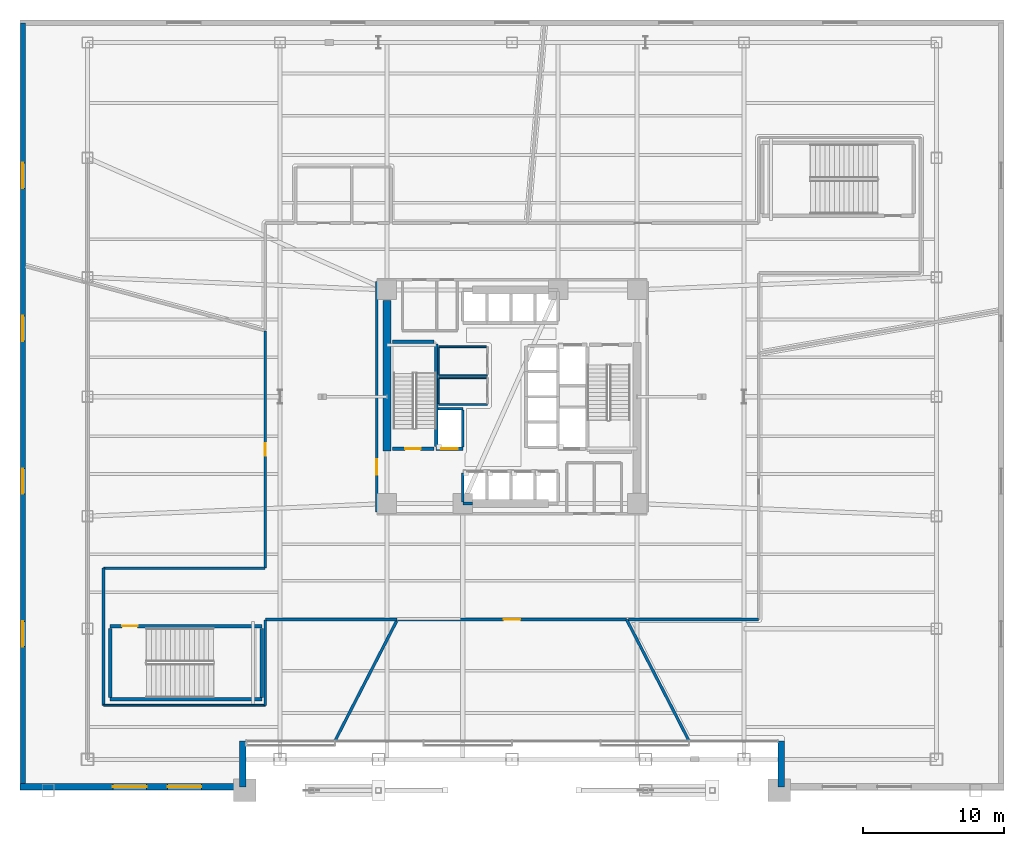
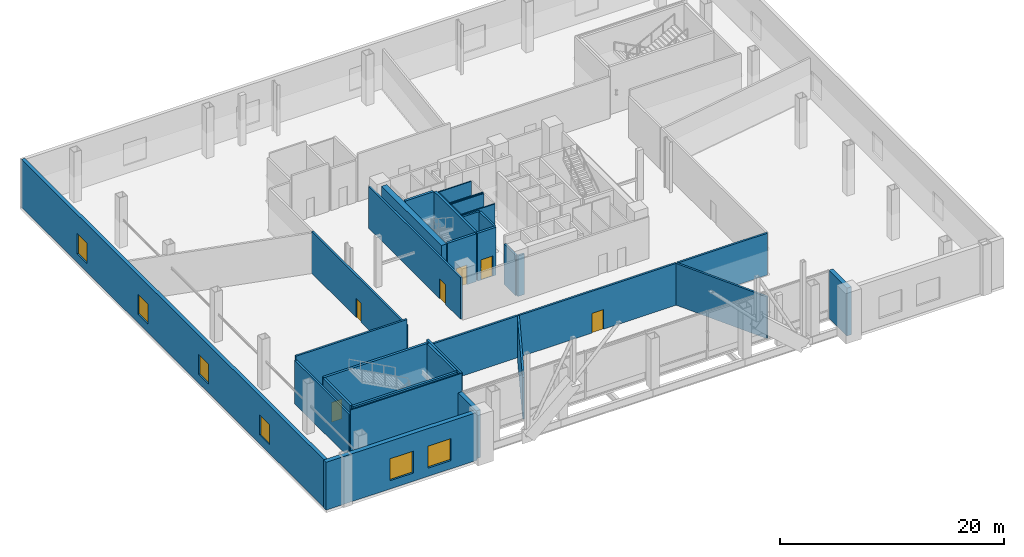
# One storey, part 8 of 16: 34 walls, 6 doors, 6 windows, 12 openings.
"""IFC4 building model written with IfcOpenShell, lengths in metres."""

import ifcopenshell
import ifcopenshell.guid

model = None  # the IFC model being written
_history = None  # IfcOwnerHistory: only IFC2X3 demands one
_inside = {}  # id of a spatial element -> (the spatial element, [elements in it])
_under = {}  # id of a project, library or spatial element -> (it, [spatial elements below it])
_declared = {}  # id of a project -> (the project, [libraries it declares])
_typed = {}  # id of a type object -> (the type object, [elements of that type])
_made_of = {}  # id of a material, layer set ... -> (it, [elements and type objects made of it])


def new_model(schema):
    """Start an empty IFC model of exactly this schema.

    Asked for "IFC4X3", IfcOpenShell would pick the latest addendum, in which some entities
    have other attributes; the version numbers below select the first issue.
    IFC2X3 requires an IfcOwnerHistory on every rooted entity: one is made here for all.
    """
    global model, _history
    if schema == "IFC4X3":
        model = ifcopenshell.file(schema_version=(4, 3, 0, 0))
    else:
        model = ifcopenshell.file(schema=schema)
    _inside.clear()
    _under.clear()
    _declared.clear()
    _typed.clear()
    _made_of.clear()
    _history = None
    if model.schema == "IFC2X3":
        org = make("IfcOrganization", Name="unknown")
        user = make(
            "IfcPersonAndOrganization",
            ThePerson=make("IfcPerson", FamilyName="unknown"),
            TheOrganization=org,
        )
        app = make(
            "IfcApplication",
            ApplicationDeveloper=org,
            Version="unknown",
            ApplicationFullName="unknown",
            ApplicationIdentifier="unknown",
        )
        _history = make(
            "IfcOwnerHistory",
            OwningUser=user,
            OwningApplication=app,
            ChangeAction="ADDED",
            CreationDate=0,
        )
    return model


def make(cls, **values):
    """One entity of the class cls with the attributes given. An attribute that is None is left unset."""
    return model.create_entity(
        cls, **{name: value for name, value in values.items() if value is not None}
    )


def rooted(cls, **values):
    """An entity with a GlobalId (a new one), such as an element, a storey or a relation."""
    return make(cls, GlobalId=ifcopenshell.guid.new(), OwnerHistory=_history, **values)


def si_unit(unit_type, name, prefix=None):
    """IfcSIUnit, for example si_unit("LENGTHUNIT", "METRE", prefix="MILLI")."""
    return make("IfcSIUnit", UnitType=unit_type, Prefix=prefix, Name=name)


def assignment(units):
    """IfcUnitAssignment: the units of a project."""
    return None if units is None else make("IfcUnitAssignment", Units=units)


def point(xyz):
    """IfcCartesianPoint."""
    return None if xyz is None else make("IfcCartesianPoint", Coordinates=xyz)


def direction(xyz):
    """IfcDirection."""
    return None if xyz is None else make("IfcDirection", DirectionRatios=xyz)


def frame(location, z_axis=None, x_axis=None):
    """IfcAxis2Placement3D, a coordinate frame: its origin and axes. An axis left out is left unset."""
    return make(
        "IfcAxis2Placement3D",
        Location=point(location),
        Axis=direction(z_axis),
        RefDirection=direction(x_axis),
    )


def frame_2d(location, x_axis=None):
    """IfcAxis2Placement2D, a coordinate frame in the plane: its origin and x axis."""
    return make(
        "IfcAxis2Placement2D", Location=point(location), RefDirection=direction(x_axis)
    )


def origin():
    """The frame at (0, 0, 0) with its axes left unset."""
    return frame((0.0, 0.0, 0.0))


def place(relative_to, where):
    """IfcLocalPlacement: puts the frame where relative to a parent placement (None: the world)."""
    return make(
        "IfcLocalPlacement", PlacementRelTo=relative_to, RelativePlacement=where
    )


def context(
    kind, dimensions, precision=None, world=None, true_north=None, identifier=None
):
    """IfcGeometricRepresentationContext, for example the 3D "Model" context."""
    return make(
        "IfcGeometricRepresentationContext",
        ContextIdentifier=identifier,
        ContextType=kind,
        CoordinateSpaceDimension=dimensions,
        Precision=precision,
        WorldCoordinateSystem=world,
        TrueNorth=true_north,
    )


def subcontext(parent, identifier, kind, view, scale=None):
    """IfcGeometricRepresentationSubContext, for example "Body" below "Model"."""
    return make(
        "IfcGeometricRepresentationSubContext",
        ContextIdentifier=identifier,
        ContextType=kind,
        ParentContext=parent,
        TargetScale=scale,
        TargetView=view,
    )


def project(units=None, contexts=None):
    """IfcProject with its units and contexts."""
    return rooted(
        "IfcProject",
        Name="project",
        RepresentationContexts=contexts,
        UnitsInContext=assignment(units),
    )


def spatial(cls, under=None, at=None, **own):
    """A site, building, storey or space (cls), placed at a placement, below another one or the project."""
    s = rooted(cls, ObjectPlacement=at, **own)
    if under is not None:
        _under.setdefault(under.id(), (under, []))[1].append(s)
    return s


def profile(cls, at=None, kind="AREA", **sizes):
    """A parametric profile (cls). Its sizes go by their IFC names, for example OverallWidth=200.0."""
    return make(cls, ProfileType=kind, Position=at, **sizes)


def rectangle(**sizes):
    """IfcRectangleProfileDef."""
    return profile("IfcRectangleProfileDef", **sizes)


def extrude(swept, where, along, depth):
    """IfcExtrudedAreaSolid: the profile swept, set in the frame where, extruded along a direction by depth."""
    return make(
        "IfcExtrudedAreaSolid",
        SweptArea=swept,
        Position=where,
        ExtrudedDirection=direction(along),
        Depth=depth,
    )


def shape(context_of_items, identifier, shape_type, items):
    """IfcShapeRepresentation: the items that make up one representation, for example the "Body"."""
    return make(
        "IfcShapeRepresentation",
        ContextOfItems=context_of_items,
        RepresentationIdentifier=identifier,
        RepresentationType=shape_type,
        Items=items,
    )


def material(Name=None, Category=None):
    """IfcMaterial."""
    return make("IfcMaterial", Name=Name, Category=Category)


def layer(
    of_material, thickness, ventilated=None, Name=None, Category=None, Priority=None
):
    """IfcMaterialLayer: one layer of a wall or slab, of a material (None: an air gap)."""
    return make(
        "IfcMaterialLayer",
        Material=of_material,
        LayerThickness=thickness,
        IsVentilated=ventilated,
        Name=Name,
        Category=Category,
        Priority=Priority,
    )


def layer_set(layers, Name=None):
    """IfcMaterialLayerSet."""
    return make("IfcMaterialLayerSet", MaterialLayers=layers, LayerSetName=Name)


def made_of(thing, what):
    """Note that an element or type object is made of a material, layer set ...; save() writes the relation."""
    if what is not None:
        _made_of.setdefault(what.id(), (what, []))[1].append(thing)
    return thing


def type_object(cls, material=None, **own):
    """A type object (cls), such as IfcWallType, which elements share."""
    return made_of(rooted(cls, **own), material)


def element(
    cls,
    number,
    at=None,
    inside=None,
    cuts=None,
    type_object=None,
    material=None,
    context=None,
    identifier="Body",
    shape_type=None,
    held_by="IfcProductDefinitionShape",
    body=None,
    shapes=None,
    **own,
):
    """One element of the class cls, such as IfcWall. Its Tag is "e" and its number.

    at: its placement. inside: the storey or other place that contains it. cuts: it is an
    opening in that element (IfcRelVoidsElement). A single representation is given by context,
    identifier, shape_type and body (its items); several are given by shapes. held_by: the class
    of the entity that holds the representations. save() writes the other relations.
    """
    e = rooted(cls, Tag="e%d" % number, ObjectPlacement=at, **own)
    if body is not None:
        shapes = [shape(context, identifier, shape_type, body)]
    if shapes is not None:
        e.Representation = make(held_by, Representations=shapes)
    if inside is not None:
        _inside.setdefault(inside.id(), (inside, []))[1].append(e)
    if cuts is not None:
        rooted(
            "IfcRelVoidsElement", RelatingBuildingElement=cuts, RelatedOpeningElement=e
        )
    if type_object is not None:
        _typed.setdefault(type_object.id(), (type_object, []))[1].append(e)
    return made_of(e, material)


def fill(opening, filler):
    """IfcRelFillsElement: the door or window that sits in an opening."""
    return rooted(
        "IfcRelFillsElement",
        RelatingOpeningElement=opening,
        RelatedBuildingElement=filler,
    )


def aggregate(whole, parts):
    """IfcRelAggregates: a whole, such as a stair, and the parts it consists of."""
    return rooted("IfcRelAggregates", RelatingObject=whole, RelatedObjects=parts)


def save(model, path):
    """Write the relations noted so far, then the file.

    IfcRelAggregates (storeys below a building ...), IfcRelContainedInSpatialStructure (elements
    in a storey), IfcRelDefinesByType, IfcRelAssociatesMaterial and IfcRelDeclares: one each for
    every whole, place, type object, material and project.
    """
    for whole, parts in _under.values():
        aggregate(whole, parts)
    for where, things in _inside.values():
        rooted(
            "IfcRelContainedInSpatialStructure",
            RelatedElements=things,
            RelatingStructure=where,
        )
    for kind, things in _typed.values():
        rooted("IfcRelDefinesByType", RelatedObjects=things, RelatingType=kind)
    for what, things in _made_of.values():
        rooted("IfcRelAssociatesMaterial", RelatedObjects=things, RelatingMaterial=what)
    for by, libraries in _declared.values():
        rooted("IfcRelDeclares", RelatingContext=by, RelatedDefinitions=libraries)
    model.write(path)


model = new_model("IFC4")

# Units and contexts
model_context = context("Model", 3, precision=1e-05, world=origin(), true_north=direction((0.0, 1.0)))
body_context = subcontext(model_context, "Body", "Model", "MODEL_VIEW")
ifc_project = project(units=[si_unit("LENGTHUNIT", "METRE"), si_unit("AREAUNIT", "SQUARE_METRE"), si_unit("VOLUMEUNIT", "CUBIC_METRE"), si_unit("PLANEANGLEUNIT", "RADIAN"), si_unit("MASSUNIT", "GRAM", prefix="KILO")], contexts=[model_context])

# Site, building, storey
site_placement = place(None, origin())
site = spatial("IfcSite", under=ifc_project, at=site_placement, CompositionType="ELEMENT")
building_placement = place(site_placement, origin())
building = spatial("IfcBuilding", under=site, at=building_placement, Name="Tharavind Bronze Gate", CompositionType="ELEMENT")
storey_placement = place(building_placement, frame((0.0, 0.0, 5.5)))
storey = spatial("IfcBuildingStorey", under=building, at=storey_placement, Name="L01", CompositionType="ELEMENT", Elevation=5.5)

# Wall, openings, windows
ifc_material_1 = material(Name="Concrete C40/50", Category="concrete")
ifc_layer_1 = layer(ifc_material_1, 0.35009765625)
ifc_layer_set_1 = layer_set([ifc_layer_1], Name="Concrete C40/50")
wall_type_1 = type_object("IfcWallType", Name="EXTERIOR SPANDREL WALL 350", PredefinedType="STANDARD", material=ifc_layer_set_1)
wall_1_placement = place(storey_placement, frame((-34.800048828125, 26.60009765625, 0.0), z_axis=(0.0, 0.0, 1.0), x_axis=(0.0, -1.0, 0.0)))
wall_1 = element("IfcWall", 1, at=wall_1_placement, inside=storey, type_object=wall_type_1, Name="L01 podium west facade wall", PredefinedType="STANDARD", context=body_context, shape_type="SweptSolid", body=[
    extrude(rectangle(XDim=54.35009765625, YDim=0.35009765625, at=frame_2d((27.175048828125, 0.0))), origin(), (0.0, 0.0, 1.0), 5.219970703125),
])
opening_1_placement = place(wall_1_placement, frame((9.969970703125, 0.0, 0.949951171875)))
opening_1 = element("IfcOpeningElement", 2, at=opening_1_placement, cuts=wall_1, Name="Opening W02", PredefinedType="OPENING", context=body_context, shape_type="SweptSolid", body=[
    extrude(rectangle(XDim=1.800048828125, YDim=2.199951171875, at=frame_2d((0.89990234375, 1.10009765625))), frame((0.0, 0.185048828125, 0.0), z_axis=(0.0, -1.0, 0.0), x_axis=(1.0, 0.0, 0.0)), (0.0, 0.0, 1.0), 0.37009765625),
])
opening_2_placement = place(wall_1_placement, frame((20.840087890625, 0.0, 0.949951171875)))
opening_2 = element("IfcOpeningElement", 3, at=opening_2_placement, cuts=wall_1, Name="Opening W02", PredefinedType="OPENING", context=body_context, shape_type="SweptSolid", body=[
    extrude(rectangle(XDim=1.800048828125, YDim=2.199951171875, at=frame_2d((0.89990234375, 1.10009765625))), frame((0.0, 0.185048828125, 0.0), z_axis=(0.0, -1.0, 0.0), x_axis=(1.0, 0.0, 0.0)), (0.0, 0.0, 1.0), 0.37009765625),
])
opening_3_placement = place(wall_1_placement, frame((31.7099609375, 0.0, 0.949951171875)))
opening_3 = element("IfcOpeningElement", 4, at=opening_3_placement, cuts=wall_1, Name="Opening W02", PredefinedType="OPENING", context=body_context, shape_type="SweptSolid", body=[
    extrude(rectangle(XDim=1.800048828125, YDim=2.199951171875, at=frame_2d((0.89990234375, 1.10009765625))), frame((0.0, 0.185048828125, 0.0), z_axis=(0.0, -1.0, 0.0), x_axis=(1.0, 0.0, 0.0)), (0.0, 0.0, 1.0), 0.37009765625),
])
opening_4_placement = place(wall_1_placement, frame((42.580078125, 0.0, 0.949951171875)))
opening_4 = element("IfcOpeningElement", 5, at=opening_4_placement, cuts=wall_1, Name="Opening W02", PredefinedType="OPENING", context=body_context, shape_type="SweptSolid", body=[
    extrude(rectangle(XDim=1.800048828125, YDim=2.199951171875, at=frame_2d((0.89990234375, 1.10009765625))), frame((0.0, 0.185048828125, 0.0), z_axis=(0.0, -1.0, 0.0), x_axis=(1.0, 0.0, 0.0)), (0.0, 0.0, 1.0), 0.37009765625),
])
ifc_material_2 = material(Name="Bronze Aluminium & Low-E Glass", Category="aluminium")
window_type_1 = type_object("IfcWindowType", Name="DOUBLE PANEL BRONZE WINDOW 1800X2200", PartitioningType="DOUBLE_PANEL_VERTICAL", PredefinedType="WINDOW", material=ifc_material_2)
window_1_placement = place(opening_1_placement, origin())
window_1 = element("IfcWindow", 6, at=window_1_placement, inside=storey, type_object=window_type_1, Name="L01 exterior window WL-L01-WE-01", OverallHeight=2.199951171875, OverallWidth=1.800048828125, PartitioningType="SINGLE_PANEL", PredefinedType="WINDOW", context=body_context, shape_type="SweptSolid", body=[
    extrude(rectangle(XDim=1.800048828125, YDim=2.199951171875, at=frame_2d((0.89990234375, 1.10009765625))), frame((0.0, 0.030029296875, 0.0), z_axis=(0.0, -1.0, 0.0), x_axis=(1.0, 0.0, 0.0)), (0.0, 0.0, 1.0), 0.06005859375),
])
fill(opening_1, window_1)
window_2_placement = place(opening_2_placement, origin())
window_2 = element("IfcWindow", 7, at=window_2_placement, inside=storey, type_object=window_type_1, Name="L01 exterior window WL-L01-WE-02", OverallHeight=2.199951171875, OverallWidth=1.800048828125, PartitioningType="SINGLE_PANEL", PredefinedType="WINDOW", context=body_context, shape_type="SweptSolid", body=[
    extrude(rectangle(XDim=1.800048828125, YDim=2.199951171875, at=frame_2d((0.89990234375, 1.10009765625))), frame((0.0, 0.030029296875, 0.0), z_axis=(0.0, -1.0, 0.0), x_axis=(1.0, 0.0, 0.0)), (0.0, 0.0, 1.0), 0.06005859375),
])
fill(opening_2, window_2)
window_3_placement = place(opening_3_placement, origin())
window_3 = element("IfcWindow", 8, at=window_3_placement, inside=storey, type_object=window_type_1, Name="L01 exterior window WL-L01-WE-03", OverallHeight=2.199951171875, OverallWidth=1.800048828125, PartitioningType="SINGLE_PANEL", PredefinedType="WINDOW", context=body_context, shape_type="SweptSolid", body=[
    extrude(rectangle(XDim=1.800048828125, YDim=2.199951171875, at=frame_2d((0.89990234375, 1.10009765625))), frame((0.0, 0.030029296875, 0.0), z_axis=(0.0, -1.0, 0.0), x_axis=(1.0, 0.0, 0.0)), (0.0, 0.0, 1.0), 0.06005859375),
])
fill(opening_3, window_3)
window_4_placement = place(opening_4_placement, origin())
window_4 = element("IfcWindow", 9, at=window_4_placement, inside=storey, type_object=window_type_1, Name="L01 exterior window WL-L01-WE-04", OverallHeight=2.199951171875, OverallWidth=1.800048828125, PartitioningType="SINGLE_PANEL", PredefinedType="WINDOW", context=body_context, shape_type="SweptSolid", body=[
    extrude(rectangle(XDim=1.800048828125, YDim=2.199951171875, at=frame_2d((0.89990234375, 1.10009765625))), frame((0.0, 0.030029296875, 0.0), z_axis=(0.0, -1.0, 0.0), x_axis=(1.0, 0.0, 0.0)), (0.0, 0.0, 1.0), 0.06005859375),
])
fill(opening_4, window_4)

ifc_material_3 = material(Name="Concrete C50/60", Category="concrete")
ifc_layer_2 = layer(ifc_material_3, 0.449951171875)
ifc_layer_set_2 = layer_set([ifc_layer_2], Name="Concrete C50/60")
wall_type_2 = type_object("IfcWallType", Name="EXTERIOR SPANDREL WALL 450", PredefinedType="STANDARD", material=ifc_layer_set_2)
wall_2_placement = place(storey_placement, frame((-35.0, -27.75, 0.0), z_axis=(0.0, 0.0, 1.0), x_axis=(1.0, 0.0, 0.0)))
wall_2 = element("IfcWall", 10, at=wall_2_placement, inside=storey, type_object=wall_type_2, Name="L01 south portal west flank wall", PredefinedType="STANDARD", context=body_context, shape_type="SweptSolid", body=[
    extrude(rectangle(XDim=15.60009765625, YDim=0.449951171875, at=frame_2d((7.800048828125, 0.0))), origin(), (0.0, 0.0, 1.0), 5.219970703125),
])
opening_5_placement = place(wall_2_placement, frame((6.60009765625, 0.0, 0.89990234375)))
opening_5 = element("IfcOpeningElement", 11, at=opening_5_placement, cuts=wall_2, Name="Opening W03", PredefinedType="OPENING", context=body_context, shape_type="SweptSolid", body=[
    extrude(rectangle(XDim=2.39990234375, YDim=2.39990234375, at=frame_2d((1.199951171875, 1.199951171875))), frame((0.0, 0.23509765625, 0.0), z_axis=(0.0, -1.0, 0.0), x_axis=(1.0, 0.0, 0.0)), (0.0, 0.0, 1.0), 0.469951171875),
])
opening_6_placement = place(wall_2_placement, frame((10.5, 0.0, 0.89990234375)))
opening_6 = element("IfcOpeningElement", 12, at=opening_6_placement, cuts=wall_2, Name="Opening W03", PredefinedType="OPENING", context=body_context, shape_type="SweptSolid", body=[
    extrude(rectangle(XDim=2.39990234375, YDim=2.39990234375, at=frame_2d((1.199951171875, 1.199951171875))), frame((0.0, 0.23509765625, 0.0), z_axis=(0.0, -1.0, 0.0), x_axis=(1.0, 0.0, 0.0)), (0.0, 0.0, 1.0), 0.469951171875),
])
window_type_2 = type_object("IfcWindowType", Name="PODIUM RIBBON BRONZE WINDOW 2400X2400", PartitioningType="TRIPLE_PANEL_VERTICAL", PredefinedType="WINDOW", material=ifc_material_2)
window_5_placement = place(opening_5_placement, origin())
window_5 = element("IfcWindow", 13, at=window_5_placement, inside=storey, type_object=window_type_2, Name="L01 exterior window WL-L01-ARCHSL-02", OverallHeight=2.39990234375, OverallWidth=2.39990234375, PartitioningType="SINGLE_PANEL", PredefinedType="WINDOW", context=body_context, shape_type="SweptSolid", body=[
    extrude(rectangle(XDim=2.39990234375, YDim=2.39990234375, at=frame_2d((1.199951171875, 1.199951171875))), frame((0.0, 0.030029296875, 0.0), z_axis=(0.0, -1.0, 0.0), x_axis=(1.0, 0.0, 0.0)), (0.0, 0.0, 1.0), 0.06005859375),
])
fill(opening_5, window_5)
window_6_placement = place(opening_6_placement, origin())
window_6 = element("IfcWindow", 14, at=window_6_placement, inside=storey, type_object=window_type_2, Name="L01 exterior window WL-L01-ARCHSL-03", OverallHeight=2.39990234375, OverallWidth=2.39990234375, PartitioningType="SINGLE_PANEL", PredefinedType="WINDOW", context=body_context, shape_type="SweptSolid", body=[
    extrude(rectangle(XDim=2.39990234375, YDim=2.39990234375, at=frame_2d((1.199951171875, 1.199951171875))), frame((0.0, 0.030029296875, 0.0), z_axis=(0.0, -1.0, 0.0), x_axis=(1.0, 0.0, 0.0)), (0.0, 0.0, 1.0), 0.06005859375),
])
fill(opening_6, window_6)

# Walls
for number, where, z_axis, x_axis, name in (
    (15, (-19.14990234375, -27.75, 0.0), (0.0, 0.0, 1.0), (0.0, 1.0, 0.0), "L01 south arch west reveal wall"),
    (16, (19.14990234375, -24.5, 0.0), (0.0, 0.0, 1.0), (0.0, -1.0, 0.0), "L01 south arch east reveal wall"),
):
    element("IfcWall", number, at=place(storey_placement, frame(where, z_axis=z_axis, x_axis=x_axis)), inside=storey, type_object=wall_type_2, Name=name, PredefinedType="STANDARD", context=body_context, shape_type="SweptSolid", body=[
        extrude(rectangle(XDim=3.25, YDim=0.449951171875, at=frame_2d((1.625, 0.0))), origin(), (0.0, 0.0, 1.0), 5.219970703125),
    ])

# Wall, opening, door
ifc_material_4 = material(Name="Aerated Concrete Block", Category="concrete")
ifc_layer_3 = layer(ifc_material_4, 0.199951171875)
ifc_layer_set_3 = layer_set([ifc_layer_3], Name="Aerated Concrete Block")
wall_type_3 = type_object("IfcWallType", Name="FIRE RATED PARTITION 200", PredefinedType="PARTITIONING", material=ifc_layer_set_3)
wall_3_placement = place(storey_placement, frame((-9.6201171875, 8.199951171875, 0.0), z_axis=(0.0, 0.0, 1.0), x_axis=(0.0, -1.0, 0.0)))
wall_3 = element("IfcWall", 17, at=wall_3_placement, inside=storey, type_object=wall_type_3, Name="L01 west core corridor wall", PredefinedType="PARTITIONING", context=body_context, shape_type="SweptSolid", body=[
    extrude(rectangle(XDim=16.39990234375, YDim=0.199951171875, at=frame_2d((8.199951171875, 0.0))), origin(), (0.0, 0.0, 1.0), 4.56494140625),
])
opening_7_placement = place(wall_3_placement, frame((12.64990234375, 0.0, 0.0)))
opening_7 = element("IfcOpeningElement", 18, at=opening_7_placement, cuts=wall_3, Name="Opening ID01", PredefinedType="OPENING", context=body_context, shape_type="SweptSolid", body=[
    extrude(rectangle(XDim=1.10009765625, YDim=2.14990234375, at=frame_2d((0.550048828125, 1.074951171875))), frame((0.0, 0.11009765625, 0.0), z_axis=(0.0, -1.0, 0.0), x_axis=(1.0, 0.0, 0.0)), (0.0, 0.0, 1.0), 0.219951171875),
])
ifc_material_5 = material(Name="Fire-Rated Steel", Category="steel")
door_type_1 = type_object("IfcDoorType", Name="STAIR CORE FIRE DOOR 1100X2150", OperationType="SINGLE_SWING_LEFT", PredefinedType="DOOR", material=ifc_material_5)
door_1_placement = place(opening_7_placement, frame((1.10009765625, 0.0, 0.0), z_axis=(0.0, 0.0, 1.0), x_axis=(-1.0, 0.0, 0.0)))
door_1 = element("IfcDoor", 19, at=door_1_placement, inside=storey, type_object=door_type_1, Name="L01 south west stair lobby fire door", OperationType="SINGLE_SWING_LEFT", OverallHeight=2.14990234375, OverallWidth=1.10009765625, PredefinedType="DOOR", context=body_context, shape_type="SweptSolid", body=[
    extrude(rectangle(XDim=1.10009765625, YDim=2.14990234375, at=frame_2d((0.550048828125, 1.074951171875))), frame((0.0, 0.02490234375, 0.0), z_axis=(0.0, -1.0, 0.0), x_axis=(1.0, 0.0, 0.0)), (0.0, 0.0, 1.0), 0.050048828125),
])
fill(opening_7, door_1)

# Walls
wall_4_placement = place(storey_placement, frame((-17.550048828125, -21.949462890625, 0.0), z_axis=(0.0, 0.0, 1.0), x_axis=(0.0, 1.0, 0.0)))
element("IfcWall", 20, at=wall_4_placement, inside=storey, type_object=wall_type_3, Name="L01 Commercial Catering Kitchen partition", PredefinedType="PARTITIONING", context=body_context, shape_type="SweptSolid", body=[
    extrude(rectangle(XDim=6.074462890625, YDim=0.199951171875, at=frame_2d((3.037109375, 0.0))), origin(), (0.0, 0.0, 1.0), 5.219970703125),
])
wall_5_placement = place(storey_placement, frame((-17.52490234375, -15.85009765625, 0.0), z_axis=(0.0, 0.0, 1.0), x_axis=(1.0, 0.0, 0.0)))
element("IfcWall", 21, at=wall_5_placement, inside=storey, type_object=wall_type_3, Name="L01 Commercial Catering Kitchen partition", PredefinedType="PARTITIONING", context=body_context, shape_type="SweptSolid", body=[
    extrude(rectangle(XDim=9.3310546875, YDim=0.199951171875, at=frame_2d((4.66552734375, 0.0))), origin(), (0.0, 0.0, 1.0), 4.56494140625),
])
wall_6_placement = place(storey_placement, frame((-8.206787109375, -15.955078125, 0.0), z_axis=(0.0, 0.0, 1.0), x_axis=(-0.457408290436, -0.889256799715, 0.0)))
element("IfcWall", 22, at=wall_6_placement, inside=storey, type_object=wall_type_3, Name="L01 Commercial Catering Kitchen partition", PredefinedType="PARTITIONING", context=body_context, shape_type="SweptSolid", body=[
    extrude(rectangle(XDim=9.609130859375, YDim=0.199951171875, at=frame_2d((4.8046875, 0.0))), origin(), (0.0, 0.0, 1.0), 4.56494140625),
])

# Wall, opening, door
wall_7_placement = place(storey_placement, frame((-17.550048828125, 4.683349609375, 0.0), z_axis=(0.0, 0.0, 1.0), x_axis=(0.0, -1.0, 0.0)))
wall_7 = element("IfcWall", 23, at=wall_7_placement, inside=storey, type_object=wall_type_3, Name="L01 Commercial Catering Kitchen partition", PredefinedType="PARTITIONING", context=body_context, shape_type="SweptSolid", body=[
    extrude(rectangle(XDim=16.8583984375, YDim=0.199951171875, at=frame_2d((8.42919921875, 0.0))), origin(), (0.0, 0.0, 1.0), 4.56494140625),
])
opening_8_placement = place(wall_7_placement, frame((7.97900390625, 0.0, 0.0)))
opening_8 = element("IfcOpeningElement", 24, at=opening_8_placement, cuts=wall_7, Name="Opening ID07", PredefinedType="OPENING", context=body_context, shape_type="SweptSolid", body=[
    extrude(rectangle(XDim=0.89990234375, YDim=2.10009765625, at=frame_2d((0.449951171875, 1.050048828125))), frame((0.0, 0.11009765625, 0.0), z_axis=(0.0, -1.0, 0.0), x_axis=(1.0, 0.0, 0.0)), (0.0, 0.0, 1.0), 0.219951171875),
])
ifc_material_6 = material(Name="Galvanised Fire Steel", Category="steel")
door_type_2 = type_object("IfcDoorType", Name="PLANT AND RISER FIRE DOOR 900X2100", OperationType="SINGLE_SWING_LEFT", PredefinedType="DOOR", material=ifc_material_6)
door_2_placement = place(opening_8_placement, origin())
door_2 = element("IfcDoor", 25, at=door_2_placement, inside=storey, type_object=door_type_2, Name="L01 Commercial Catering Kitchen door", OperationType="SINGLE_SWING_LEFT", OverallHeight=2.10009765625, OverallWidth=0.89990234375, PredefinedType="DOOR", context=body_context, shape_type="SweptSolid", body=[
    extrude(rectangle(XDim=0.89990234375, YDim=2.10009765625, at=frame_2d((0.449951171875, 1.050048828125))), frame((0.0, 0.02490234375, 0.0), z_axis=(0.0, -1.0, 0.0), x_axis=(1.0, 0.0, 0.0)), (0.0, 0.0, 1.0), 0.050048828125),
])
fill(opening_8, door_2)

# Walls
wall_8_placement = place(storey_placement, frame((-17.574951171875, -12.199951171875, 0.0), z_axis=(0.0, 0.0, 1.0), x_axis=(-1.0, 0.0, 0.0)))
element("IfcWall", 26, at=wall_8_placement, inside=storey, type_object=wall_type_3, Name="L01 Commercial Catering Kitchen partition", PredefinedType="PARTITIONING", context=body_context, shape_type="SweptSolid", body=[
    extrude(rectangle(XDim=11.474365234375, YDim=0.199951171875, at=frame_2d((5.7373046875, 0.0))), origin(), (0.0, 0.0, 1.0), 5.219970703125),
])
wall_9_placement = place(storey_placement, frame((-29.050048828125, -12.20068359375, 0.0), z_axis=(0.0, 0.0, 1.0), x_axis=(0.0, -1.0, 0.0)))
element("IfcWall", 27, at=wall_9_placement, inside=storey, type_object=wall_type_3, Name="L01 Commercial Catering Kitchen partition", PredefinedType="PARTITIONING", context=body_context, shape_type="SweptSolid", body=[
    extrude(rectangle(XDim=9.748779296875, YDim=0.199951171875, at=frame_2d((4.87451171875, 0.0))), origin(), (0.0, 0.0, 1.0), 4.764892578125),
])

# Wall, opening, door
wall_10_placement = place(storey_placement, frame((-8.137451171875, -15.85009765625, 0.0), z_axis=(0.0, 0.0, 1.0), x_axis=(1.0, 0.0, 0.0)))
wall_10 = element("IfcWall", 28, at=wall_10_placement, inside=storey, type_object=wall_type_3, Name="L01 VIP Arrival Lounge partition", PredefinedType="PARTITIONING", context=body_context, shape_type="SweptSolid", body=[
    extrude(rectangle(XDim=16.27490234375, YDim=0.199951171875, at=frame_2d((8.137451171875, 0.0))), origin(), (0.0, 0.0, 1.0), 4.56494140625),
])
opening_9_placement = place(wall_10_placement, frame((7.537109375, 0.0, 0.0)))
opening_9 = element("IfcOpeningElement", 29, at=opening_9_placement, cuts=wall_10, Name="Opening ID05", PredefinedType="OPENING", context=body_context, shape_type="SweptSolid", body=[
    extrude(rectangle(XDim=1.199951171875, YDim=2.14990234375, at=frame_2d((0.60009765625, 1.074951171875))), frame((0.0, 0.11009765625, 0.0), z_axis=(0.0, -1.0, 0.0), x_axis=(1.0, 0.0, 0.0)), (0.0, 0.0, 1.0), 0.219951171875),
])
ifc_material_7 = material(Name="Acoustic Laminated Glass", Category="glass")
door_type_3 = type_object("IfcDoorType", Name="MEETING ROOM GLAZED DOOR 1200X2150", OperationType="SINGLE_SWING_LEFT", PredefinedType="DOOR", material=ifc_material_7)
door_3_placement = place(opening_9_placement, origin())
door_3 = element("IfcDoor", 30, at=door_3_placement, inside=storey, type_object=door_type_3, Name="L01 VIP Arrival Lounge door", OperationType="SINGLE_SWING_LEFT", OverallHeight=2.14990234375, OverallWidth=1.199951171875, PredefinedType="DOOR", context=body_context, shape_type="SweptSolid", body=[
    extrude(rectangle(XDim=1.199951171875, YDim=2.14990234375, at=frame_2d((0.60009765625, 1.074951171875))), frame((0.0, 0.02490234375, 0.0), z_axis=(0.0, -1.0, 0.0), x_axis=(1.0, 0.0, 0.0)), (0.0, 0.0, 1.0), 0.050048828125),
])
fill(opening_9, door_3)

# Walls
wall_11_placement = place(storey_placement, frame((8.159912109375, -15.863525390625, 0.0), z_axis=(0.0, 0.0, 1.0), x_axis=(0.457390612437, -0.889265892551, 0.0)))
element("IfcWall", 31, at=wall_11_placement, inside=storey, type_object=wall_type_3, Name="L01 VIP Arrival Lounge partition", PredefinedType="PARTITIONING", context=body_context, shape_type="SweptSolid", body=[
    extrude(rectangle(XDim=9.7119140625, YDim=0.199951171875, at=frame_2d((4.85595703125, 0.0))), origin(), (0.0, 0.0, 1.0), 4.56494140625),
])
wall_12_placement = place(storey_placement, frame((8.27099609375, -15.85009765625, 0.0), z_axis=(0.0, 0.0, 1.0), x_axis=(1.0, 0.0, 0.0)))
element("IfcWall", 32, at=wall_12_placement, inside=storey, type_object=wall_type_3, Name="L01 Management Administration Office partition", PredefinedType="PARTITIONING", context=body_context, shape_type="SweptSolid", body=[
    extrude(rectangle(XDim=9.2783203125, YDim=0.199951171875, at=frame_2d((4.63916015625, 0.0))), origin(), (0.0, 0.0, 1.0), 4.56494140625),
])
ifc_material_8 = material(Name="Metal Stud Gypsum Partition", Category="gypsum")
ifc_layer_4 = layer(ifc_material_8, 0.1201171875)
ifc_layer_set_4 = layer_set([ifc_layer_4], Name="Metal Stud Gypsum Partition")
wall_type_4 = type_object("IfcWallType", Name="INTERIOR PARTITION WALL 120", PredefinedType="PARTITIONING", material=ifc_layer_set_4)
wall_13_placement = place(storey_placement, frame((-5.219970703125, 1.52001953125, 0.0), z_axis=(0.0, 0.0, 1.0), x_axis=(1.0, 0.0, 0.0)))
element("IfcWall", 33, at=wall_13_placement, inside=storey, type_object=wall_type_4, Name="L01 Cleaner Store Room partition 1", PredefinedType="PARTITIONING", context=body_context, shape_type="SweptSolid", body=[
    extrude(rectangle(XDim=3.469970703125, YDim=0.1201171875, at=frame_2d((1.73486328125, 0.0))), origin(), (0.0, 0.0, 1.0), 5.219970703125),
])
wall_14_placement = place(storey_placement, frame((-1.81494140625, 3.550048828125, 0.0), z_axis=(0.0, 0.0, 1.0), x_axis=(-1.0, 0.0, 0.0)))
element("IfcWall", 34, at=wall_14_placement, inside=storey, type_object=wall_type_4, Name="L01 Cleaner Store Room partition 3", PredefinedType="PARTITIONING", context=body_context, shape_type="SweptSolid", body=[
    extrude(rectangle(XDim=3.405029296875, YDim=0.1201171875, at=frame_2d((1.70263671875, 0.0))), origin(), (0.0, 0.0, 1.0), 5.219970703125),
])
wall_15_placement = place(storey_placement, frame((-5.219970703125, 3.485107421875, 0.0), z_axis=(0.0, 0.0, 1.0), x_axis=(0.0, -1.0, 0.0)))
element("IfcWall", 35, at=wall_15_placement, inside=storey, type_object=wall_type_4, Name="L01 Cleaner Store Room partition 4", PredefinedType="PARTITIONING", context=body_context, shape_type="SweptSolid", body=[
    extrude(rectangle(XDim=1.900146484375, YDim=0.1201171875, at=frame_2d((0.9501953125, 0.0))), origin(), (0.0, 0.0, 1.0), 5.219970703125),
])
wall_16_placement = place(storey_placement, frame((-5.219970703125, -0.550048828125, 0.0), z_axis=(0.0, 0.0, 1.0), x_axis=(1.0, 0.0, 0.0)))
element("IfcWall", 36, at=wall_16_placement, inside=storey, type_object=wall_type_4, Name="L01 Electrical Switch Room partition 1", PredefinedType="PARTITIONING", context=body_context, shape_type="SweptSolid", body=[
    extrude(rectangle(XDim=3.469970703125, YDim=0.1201171875, at=frame_2d((1.73486328125, 0.0))), origin(), (0.0, 0.0, 1.0), 5.219970703125),
])
wall_17_placement = place(storey_placement, frame((-1.81494140625, 1.340087890625, 0.0), z_axis=(0.0, 0.0, 1.0), x_axis=(-1.0, 0.0, 0.0)))
element("IfcWall", 37, at=wall_17_placement, inside=storey, type_object=wall_type_4, Name="L01 Electrical Switch Room partition 3", PredefinedType="PARTITIONING", context=body_context, shape_type="SweptSolid", body=[
    extrude(rectangle(XDim=3.405029296875, YDim=0.1201171875, at=frame_2d((1.70263671875, 0.0))), origin(), (0.0, 0.0, 1.0), 5.219970703125),
])
wall_18_placement = place(storey_placement, frame((-5.219970703125, 1.27490234375, 0.0), z_axis=(0.0, 0.0, 1.0), x_axis=(0.0, -1.0, 0.0)))
element("IfcWall", 38, at=wall_18_placement, inside=storey, type_object=wall_type_4, Name="L01 Electrical Switch Room partition 4", PredefinedType="PARTITIONING", context=body_context, shape_type="SweptSolid", body=[
    extrude(rectangle(XDim=1.760009765625, YDim=0.1201171875, at=frame_2d((0.8798828125, 0.0))), origin(), (0.0, 0.0, 1.0), 5.219970703125),
])
wall_19_placement = place(storey_placement, frame((-29.04931640625, -21.949951171875, 0.0), z_axis=(0.0, 0.0, 1.0), x_axis=(1.0, 0.0, 0.0)))
element("IfcWall", 39, at=wall_19_placement, inside=storey, type_object=wall_type_4, Name="L01 Commercial Catering Kitchen partition", PredefinedType="PARTITIONING", context=body_context, shape_type="SweptSolid", body=[
    extrude(rectangle(XDim=11.498779296875, YDim=0.1201171875, at=frame_2d((5.74951171875, 0.0))), origin(), (0.0, 0.0, 1.0), 5.219970703125),
])
ifc_layer_5 = layer(ifc_material_3, 0.25)
ifc_layer_set_5 = layer_set([ifc_layer_5], Name="Concrete C50/60")
wall_type_5 = type_object("IfcWallType", Name="RC CORE SHEAR WALL 250", PredefinedType="SHEAR", material=ifc_layer_set_5)
wall_20_placement = place(storey_placement, frame((-5.39990234375, -3.550048828125, 0.0), z_axis=(0.0, 0.0, 1.0), x_axis=(0.0, 1.0, 0.0)))
element("IfcWall", 40, at=wall_20_placement, inside=storey, type_object=wall_type_5, Name="L01 ST1 shaft east wall", PredefinedType="SHEAR", context=body_context, shape_type="SweptSolid", body=[
    extrude(rectangle(XDim=7.300048828125, YDim=0.25, at=frame_2d((3.64990234375, 0.0))), origin(), (0.0, 0.0, 1.0), 5.219970703125),
])

# Wall, opening, door
wall_21_placement = place(storey_placement, frame((-8.5, -3.699951171875, 0.0), z_axis=(0.0, 0.0, 1.0), x_axis=(1.0, 0.0, 0.0)))
wall_21 = element("IfcWall", 41, at=wall_21_placement, inside=storey, type_object=wall_type_5, Name="L01 ST1 shaft south wall", PredefinedType="SHEAR", context=body_context, shape_type="SweptSolid", body=[
    extrude(rectangle(XDim=2.949951171875, YDim=0.25, at=frame_2d((1.47509765625, 0.0))), origin(), (0.0, 0.0, 1.0), 5.219970703125),
])
opening_10_placement = place(wall_21_placement, frame((0.89990234375, 0.0, 0.0)))
opening_10 = element("IfcOpeningElement", 42, at=opening_10_placement, cuts=wall_21, Name="Opening ID01", PredefinedType="OPENING", context=body_context, shape_type="SweptSolid", body=[
    extrude(rectangle(XDim=1.10009765625, YDim=2.14990234375, at=frame_2d((0.550048828125, 1.074951171875))), frame((0.0, 0.135, 0.0), z_axis=(0.0, -1.0, 0.0), x_axis=(1.0, 0.0, 0.0)), (0.0, 0.0, 1.0), 0.27),
])
door_4_placement = place(opening_10_placement, origin())
door_4 = element("IfcDoor", 43, at=door_4_placement, inside=storey, type_object=door_type_1, Name="L01 exit stair ST1 fire door", OperationType="SINGLE_SWING_LEFT", OverallHeight=2.14990234375, OverallWidth=1.10009765625, PredefinedType="DOOR", context=body_context, shape_type="SweptSolid", body=[
    extrude(rectangle(XDim=1.10009765625, YDim=2.14990234375, at=frame_2d((0.550048828125, 1.074951171875))), frame((0.0, 0.02490234375, 0.0), z_axis=(0.0, -1.0, 0.0), x_axis=(1.0, 0.0, 0.0)), (0.0, 0.0, 1.0), 0.050048828125),
])
fill(opening_10, door_4)

# Wall
wall_22_placement = place(storey_placement, frame((-8.5, 3.89990234375, 0.0), z_axis=(0.0, 0.0, 1.0), x_axis=(1.0, 0.0, 0.0)))
element("IfcWall", 44, at=wall_22_placement, inside=storey, type_object=wall_type_5, Name="L01 ST1 shaft north wall", PredefinedType="SHEAR", context=body_context, shape_type="SweptSolid", body=[
    extrude(rectangle(XDim=2.949951171875, YDim=0.25, at=frame_2d((1.47509765625, 0.0))), origin(), (0.0, 0.0, 1.0), 5.219970703125),
])

# Wall, opening, door
wall_23_placement = place(storey_placement, frame((-28.580078125, -16.320068359375, 0.0), z_axis=(0.0, 0.0, 1.0), x_axis=(1.0, 0.0, 0.0)))
wall_23 = element("IfcWall", 45, at=wall_23_placement, inside=storey, type_object=wall_type_5, Name="L01 ST3 north wall", PredefinedType="SHEAR", context=body_context, shape_type="SweptSolid", body=[
    extrude(rectangle(XDim=10.780029296875, YDim=0.25, at=frame_2d((5.39013671875, 0.0))), origin(), (0.0, 0.0, 1.0), 5.219970703125),
])
opening_11_placement = place(wall_23_placement, frame((0.85009765625, 0.0, 0.0)))
opening_11 = element("IfcOpeningElement", 46, at=opening_11_placement, cuts=wall_23, Name="Opening ID01", PredefinedType="OPENING", context=body_context, shape_type="SweptSolid", body=[
    extrude(rectangle(XDim=1.10009765625, YDim=2.14990234375, at=frame_2d((0.550048828125, 1.074951171875))), frame((0.0, 0.135, 0.0), z_axis=(0.0, -1.0, 0.0), x_axis=(1.0, 0.0, 0.0)), (0.0, 0.0, 1.0), 0.27),
])
door_5_placement = place(opening_11_placement, frame((1.10009765625, 0.0, 0.0), z_axis=(0.0, 0.0, 1.0), x_axis=(-1.0, 0.0, 0.0)))
door_5 = element("IfcDoor", 47, at=door_5_placement, inside=storey, type_object=door_type_1, Name="L01 podium stair ST3 fire door", OperationType="SINGLE_SWING_LEFT", OverallHeight=2.14990234375, OverallWidth=1.10009765625, PredefinedType="DOOR", context=body_context, shape_type="SweptSolid", body=[
    extrude(rectangle(XDim=1.10009765625, YDim=2.14990234375, at=frame_2d((0.550048828125, 1.074951171875))), frame((0.0, 0.02490234375, 0.0), z_axis=(0.0, -1.0, 0.0), x_axis=(1.0, 0.0, 0.0)), (0.0, 0.0, 1.0), 0.050048828125),
])
fill(opening_11, door_5)

# Walls
wall_24_placement = place(storey_placement, frame((-28.580078125, -21.530029296875, 0.0), z_axis=(0.0, 0.0, 1.0), x_axis=(1.0, 0.0, 0.0)))
element("IfcWall", 48, at=wall_24_placement, inside=storey, type_object=wall_type_5, Name="L01 ST3 south wall", PredefinedType="SHEAR", context=body_context, shape_type="SweptSolid", body=[
    extrude(rectangle(XDim=10.780029296875, YDim=0.25, at=frame_2d((5.39013671875, 0.0))), origin(), (0.0, 0.0, 1.0), 5.219970703125),
])
for number, where, z_axis, x_axis, name in (
    (49, (-28.580078125, -21.3798828125, 0.0), (0.0, 0.0, 1.0), (0.0, 1.0, 0.0), "L01 ST3 west wall"),
    (50, (-17.800048828125, -21.3798828125, 0.0), (0.0, 0.0, 1.0), (0.0, 1.0, 0.0), "L01 ST3 east wall"),
):
    element("IfcWall", number, at=place(storey_placement, frame(where, z_axis=z_axis, x_axis=x_axis)), inside=storey, type_object=wall_type_5, Name=name, PredefinedType="SHEAR", context=body_context, shape_type="SweptSolid", body=[
        extrude(rectangle(XDim=4.909912109375, YDim=0.25, at=frame_2d((2.455078125, 0.0))), origin(), (0.0, 0.0, 1.0), 5.219970703125),
    ])

# Wall, opening, door
wall_25_placement = place(storey_placement, frame((-5.39990234375, -3.699951171875, 0.0), z_axis=(0.0, 0.0, 1.0), x_axis=(1.0, 0.0, 0.0)))
wall_25 = element("IfcWall", 51, at=wall_25_placement, inside=storey, type_object=wall_type_5, Name="L01 lift FFL1 shaft front wall", PredefinedType="SHEAR", context=body_context, shape_type="SweptSolid", body=[
    extrude(rectangle(XDim=1.89990234375, YDim=0.25, at=frame_2d((0.949951171875, 0.0))), origin(), (0.0, 0.0, 1.0), 5.219970703125),
])
opening_12_placement = place(wall_25_placement, frame((0.35009765625, 0.0, 0.0)))
opening_12 = element("IfcOpeningElement", 52, at=opening_12_placement, cuts=wall_25, Name="Opening LD02", PredefinedType="OPENING", context=body_context, shape_type="SweptSolid", body=[
    extrude(rectangle(XDim=1.199951171875, YDim=2.199951171875, at=frame_2d((0.60009765625, 1.10009765625))), frame((0.0, 0.135, 0.0), z_axis=(0.0, -1.0, 0.0), x_axis=(1.0, 0.0, 0.0)), (0.0, 0.0, 1.0), 0.27),
])
ifc_material_9 = material(Name="Brushed Stainless Steel", Category="steel")
door_type_4 = type_object("IfcDoorType", Name="FIREFIGHTING LIFT LANDING DOOR 1200X2200", OperationType="SLIDING_TO_RIGHT", PredefinedType="DOOR", material=ifc_material_9)
door_6_placement = place(opening_12_placement, origin())
door_6 = element("IfcDoor", 53, at=door_6_placement, inside=storey, type_object=door_type_4, Name="L01 lift FFL1 sliding landing door", OperationType="SLIDING_TO_RIGHT", OverallHeight=2.199951171875, OverallWidth=1.199951171875, PredefinedType="DOOR", context=body_context, shape_type="SweptSolid", body=[
    extrude(rectangle(XDim=1.199951171875, YDim=2.199951171875, at=frame_2d((0.60009765625, 1.10009765625))), frame((0.0, 0.02490234375, 0.0), z_axis=(0.0, -1.0, 0.0), x_axis=(1.0, 0.0, 0.0)), (0.0, 0.0, 1.0), 0.050048828125),
])
fill(opening_12, door_6)

# Walls
ifc_material_10 = material(Name="Concrete C60/75", Category="concrete")
ifc_layer_6 = layer(ifc_material_10, 0.550048828125)
ifc_layer_set_6 = layer_set([ifc_layer_6], Name="Concrete C60/75")
wall_type_6 = type_object("IfcWallType", Name="RC CORE SHEAR WALL 550", PredefinedType="SHEAR", material=ifc_layer_set_6)
wall_26_placement = place(storey_placement, frame((-8.89990234375, -3.85009765625, 0.0), z_axis=(0.0, 0.0, 1.0), x_axis=(0.0, 1.0, 0.0)))
element("IfcWall", 54, at=wall_26_placement, inside=storey, type_object=wall_type_6, Name="L01 west core shear wall", PredefinedType="SHEAR", context=body_context, shape_type="SweptSolid", body=[
    extrude(rectangle(XDim=10.7001953125, YDim=0.550048828125, at=frame_2d((5.35009765625, 0.0))), origin(), (0.0, 0.0, 1.0), 5.219970703125),
])
ifc_layer_7 = layer(ifc_material_1, 0.199951171875)
ifc_layer_set_7 = layer_set([ifc_layer_7], Name="Concrete C40/50")
wall_type_7 = type_object("IfcWallType", Name="SHAFT ENCLOSURE WALL 200", PredefinedType="PARTITIONING", material=ifc_layer_set_7)
wall_27_placement = place(storey_placement, frame((-3.5, -7.60009765625, 0.0), z_axis=(0.0, 0.0, 1.0), x_axis=(1.0, 0.0, 0.0)))
element("IfcWall", 55, at=wall_27_placement, inside=storey, type_object=wall_type_7, Name="L01 lift PL1 shaft S enclosure wall", PredefinedType="PARTITIONING", context=body_context, shape_type="SweptSolid", body=[
    extrude(rectangle(XDim=0.699951171875, YDim=0.199951171875, at=frame_2d((0.35009765625, 0.0))), origin(), (0.0, 0.0, 1.0), 4.4150390625),
])
wall_28_placement = place(storey_placement, frame((-3.5, -7.4951171875, 0.0), z_axis=(0.0, 0.0, 1.0), x_axis=(0.0, 1.0, 0.0)))
element("IfcWall", 56, at=wall_28_placement, inside=storey, type_object=wall_type_7, Name="L01 lift PL1 shaft W enclosure wall", PredefinedType="PARTITIONING", context=body_context, shape_type="SweptSolid", body=[
    extrude(rectangle(XDim=2.065185546875, YDim=0.199951171875, at=frame_2d((1.03271484375, 0.0))), origin(), (0.0, 0.0, 1.0), 4.4150390625),
])
wall_29_placement = place(storey_placement, frame((-5.27001953125, -0.85009765625, 0.0), z_axis=(0.0, 0.0, 1.0), x_axis=(1.0, 0.0, 0.0)))
element("IfcWall", 57, at=wall_29_placement, inside=storey, type_object=wall_type_7, Name="L01 lift FFL1 shaft N enclosure wall", PredefinedType="PARTITIONING", context=body_context, shape_type="SweptSolid", body=[
    extrude(rectangle(XDim=1.77001953125, YDim=0.199951171875, at=frame_2d((0.885009765625, 0.0))), origin(), (0.0, 0.0, 1.0), 5.219970703125),
])
wall_30_placement = place(storey_placement, frame((-3.5, -3.570068359375, 0.0), z_axis=(0.0, 0.0, 1.0), x_axis=(0.0, 1.0, 0.0)))
element("IfcWall", 58, at=wall_30_placement, inside=storey, type_object=wall_type_7, Name="L01 lift FFL1 shaft E enclosure wall", PredefinedType="PARTITIONING", context=body_context, shape_type="SweptSolid", body=[
    extrude(rectangle(XDim=2.614990234375, YDim=0.199951171875, at=frame_2d((1.3076171875, 0.0))), origin(), (0.0, 0.0, 1.0), 5.219970703125),
])

save(model, "model.ifc")
